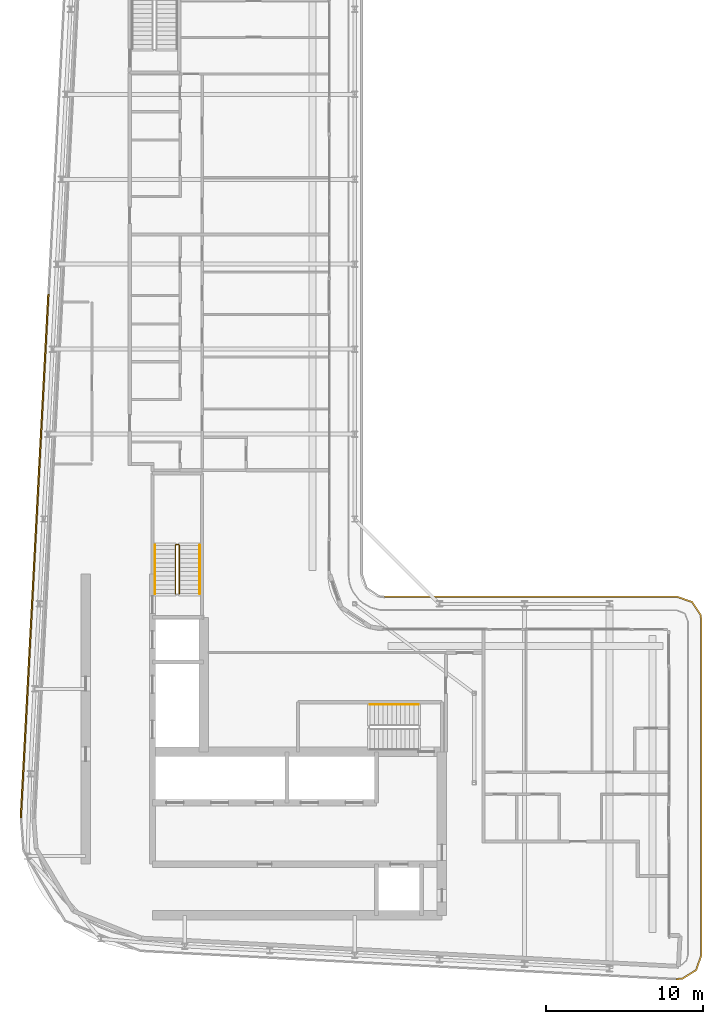
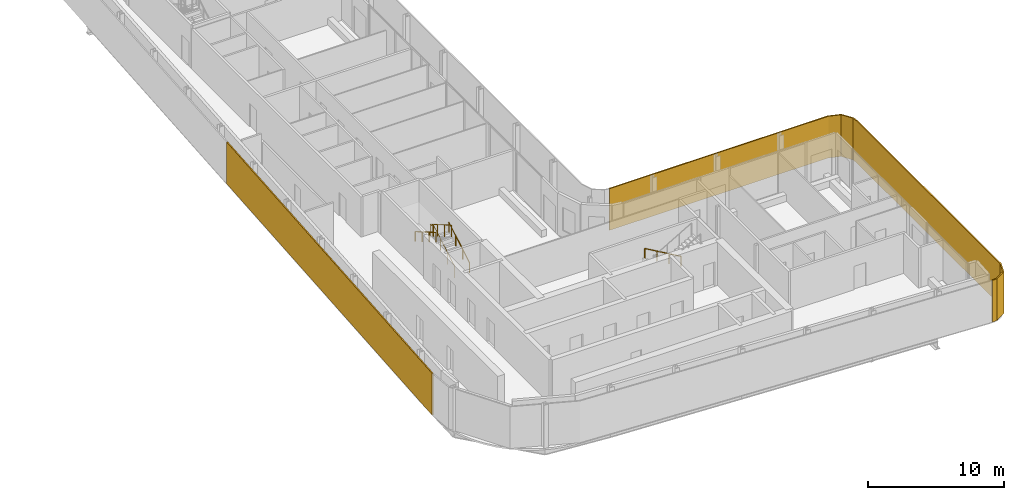
# One storey, part 18 of 21: 4 railings, 2 shading devices.
"""IFC4 building model written with IfcOpenShell, lengths in metres."""

from ifc_helpers import new_model, si_unit, direction, frame, origin, origin_2d, place, context, subcontext, project, spatial, polyline, rectangle, circle, outline, extrude, material, layer, layer_set, type_object, element, save


model = new_model("IFC4")

# Units and contexts
model_context = context("Model", 3, precision=1e-05, world=origin(), true_north=direction((0.0, 1.0)))
body_context = subcontext(model_context, "Body", "Model", "MODEL_VIEW")
ifc_project = project(units=[si_unit("LENGTHUNIT", "METRE"), si_unit("AREAUNIT", "SQUARE_METRE"), si_unit("VOLUMEUNIT", "CUBIC_METRE"), si_unit("PLANEANGLEUNIT", "RADIAN"), si_unit("MASSUNIT", "GRAM", prefix="KILO")], contexts=[model_context])

# Site, building, storey
site_placement = place(None, origin())
site = spatial("IfcSite", under=ifc_project, at=site_placement, CompositionType="ELEMENT")
building_placement = place(site_placement, origin())
building = spatial("IfcBuilding", under=site, at=building_placement, Name="Kheshtan School and Residences Tower", CompositionType="ELEMENT")
storey_placement = place(building_placement, frame((0.0, 0.0, 305.89990234375)))
storey = spatial("IfcBuildingStorey", under=building, at=storey_placement, Name="L72", CompositionType="ELEMENT", Elevation=305.89990234375)

# Shading devices
ifc_material_1 = material(Name="Terracotta baguette, extruded ceramic", Category="masonry")
ifc_layer_1 = layer(ifc_material_1, 0.10009765625)
ifc_layer_set_1 = layer_set([ifc_layer_1], Name="Ledge screen, terracotta baguettes")
shading_device_type_1 = type_object("IfcShadingDeviceType", Name="Ledge screen, terracotta baguettes", PredefinedType="USERDEFINED", material=ifc_layer_set_1)
shading_device_1_placement = place(storey_placement, frame((27.24609375, 48.638916015625, 0.0), z_axis=(0.0, 0.0, 1.0), x_axis=(0.052562536748, 0.998617634398, 0.0)))
element("IfcShadingDevice", 1, at=shading_device_1_placement, inside=storey, type_object=shading_device_type_1, Name="Screen L72 4", ObjectType="BAGUETTE", PredefinedType="USERDEFINED", context=body_context, shape_type="SweptSolid", body=[
    extrude(rectangle(XDim=33.341064453125, YDim=0.10009765625, at=origin_2d()), origin(), (0.0, 0.0, 1.0), 3.75),
])
ifc_material_2 = material(Name="Terracotta lattice, extruded ceramic", Category="masonry")
ifc_layer_2 = layer(ifc_material_2, 0.10009765625)
ifc_layer_set_2 = layer_set([ifc_layer_2], Name="Loggia screen, terracotta lattice")
shading_device_type_2 = type_object("IfcShadingDeviceType", Name="Loggia screen, terracotta lattice", PredefinedType="USERDEFINED", material=ifc_layer_set_2)
shading_device_2_placement = place(storey_placement, origin())
element("IfcShadingDevice", 2, at=shading_device_2_placement, inside=storey, type_object=shading_device_type_2, Name="Screen L72 2", ObjectType="SCREEN", PredefinedType="USERDEFINED", context=body_context, shape_type="SweptSolid", body=[
    extrude(outline(polyline([(49.5, 46.0), (68.10009765625, 46.0), (69.012939453125, 45.68994140625), (69.549072265625, 44.887939453125), (69.60009765625, 44.5), (69.60009765625, 23.285888671875), (69.27001953125, 22.346923828125), (68.424072265625, 21.822021484375), (68.02099609375, 21.7880859375), (68.029052734375, 21.68798828125), (68.4560546875, 21.72412109375), (69.35302734375, 22.281005859375), (69.699951171875, 23.26904296875), (69.699951171875, 44.507080078125), (69.64501953125, 44.924072265625), (69.076904296875, 45.77392578125), (68.116943359375, 46.10009765625), (49.5, 46.10009765625), (49.5, 46.0)])), origin(), (0.0, 0.0, 1.0), 3.75),
])

# Railings
ifc_material_3 = material(Name="Stainless steel balustrade", Category="steel")
railing_type_1 = type_object("IfcRailingType", Name="Stair guard 1100", PredefinedType="GUARDRAIL", material=ifc_material_3)
railing_1_placement = place(storey_placement, frame((36.449951171875, 46.25, 0.16259765625)))
element("IfcRailing", 3, at=railing_1_placement, inside=storey, type_object=railing_type_1, Name="L72 ST2 stair guard 1", PredefinedType="GUARDRAIL", context=body_context, shape_type="SweptSolid", body=[
    extrude(circle(Radius=0.02392578125, at=origin_2d()), frame((0.0, 0.0, 1.076171875), z_axis=(0.0, 0.864890721111, 0.501960198159), x_axis=(-1.0, 0.0, 0.0)), (0.0, 0.0, 1.0), 3.561279296875),
    extrude(circle(Radius=0.02392578125, at=origin_2d()), frame((0.0, 3.080078125, 2.86376953125), z_axis=(-0.708833529934, 0.705375805398, 0.0), x_axis=(-0.705375805398, -0.708833529934, 0.0)), (0.0, 0.0, 1.0), 0.070556640625),
    extrude(circle(Radius=0.02392578125, at=origin_2d()), frame((-0.050048828125, 3.1298828125, 2.86376953125), z_axis=(-1.0, 0.0, 0.0), x_axis=(0.0, -1.0, 0.0)), (0.0, 0.0, 1.0), 0.14990234375),
    extrude(circle(Radius=0.02392578125, at=origin_2d()), frame((-0.199951171875, 3.1298828125, 2.86376953125), z_axis=(-0.282693820306, -0.281314826061, 0.917031173188), x_axis=(0.705375805398, -0.708833529934, 0.0)), (0.0, 0.0, 1.0), 0.177001953125),
    extrude(circle(Radius=0.02392578125, at=origin_2d()), frame((-0.25, 3.080078125, 3.02587890625), z_axis=(0.0, -0.864890721111, 0.501960198159), x_axis=(1.0, 0.0, 0.0)), (0.0, 0.0, 1.0), 3.561279296875),
    extrude(circle(Radius=0.02099609375, at=origin_2d()), origin(), (0.0, 0.0, 1.0), 1.052001953125),
    extrude(circle(Radius=0.02099609375, at=origin_2d()), frame((0.0, 1.026611328125, 0.595947265625)), (0.0, 0.0, 1.0), 1.052001953125),
    extrude(circle(Radius=0.02099609375, at=origin_2d()), frame((0.0, 2.053466796875, 1.191650390625)), (0.0, 0.0, 1.0), 1.052001953125),
    extrude(circle(Radius=0.02099609375, at=origin_2d()), frame((0.0, 3.080078125, 1.78759765625)), (0.0, 0.0, 1.0), 1.052001953125),
    extrude(circle(Radius=0.02099609375, at=origin_2d()), frame((-0.050048828125, 3.1298828125, 1.78759765625)), (0.0, 0.0, 1.0), 1.052001953125),
    extrude(circle(Radius=0.02099609375, at=origin_2d()), frame((-0.199951171875, 3.1298828125, 1.78759765625)), (0.0, 0.0, 1.0), 1.052001953125),
    extrude(circle(Radius=0.02099609375, at=origin_2d()), frame((-0.25, 3.080078125, 1.949951171875)), (0.0, 0.0, 1.0), 1.052001953125),
    extrude(circle(Radius=0.02099609375, at=origin_2d()), frame((-0.25, 2.053466796875, 2.5458984375)), (0.0, 0.0, 1.0), 1.052001953125),
    extrude(circle(Radius=0.02099609375, at=origin_2d()), frame((-0.25, 1.026611328125, 3.1416015625)), (0.0, 0.0, 1.0), 1.052001953125),
    extrude(circle(Radius=0.02099609375, at=origin_2d()), frame((-0.25, 0.0, 3.737548828125)), (0.0, 0.0, 1.0), 1.052001953125),
])
ifc_material_4 = material(Name="Stainless steel handrail", Category="steel")
railing_type_2 = type_object("IfcRailingType", Name="Stair handrail 900", PredefinedType="HANDRAIL", material=ifc_material_4)
railing_2_placement = place(storey_placement, frame((51.64990234375, 39.199951171875, 0.16259765625)))
element("IfcRailing", 4, at=railing_2_placement, inside=storey, type_object=railing_type_2, Name="L72 ST1 stair handrail 1", PredefinedType="HANDRAIL", context=body_context, shape_type="SweptSolid", body=[
    extrude(circle(Radius=0.02392578125, at=origin_2d()), frame((0.0, 0.0, 0.8759765625), z_axis=(-0.864873446163, 0.0, 0.501989962173), x_axis=(0.0, -1.0, 0.0)), (0.0, 0.0, 1.0), 3.56103515625),
    extrude(circle(Radius=0.02099609375, at=origin_2d()), origin(), (0.0, 0.0, 1.0), 0.851806640625),
    extrude(circle(Radius=0.02099609375, at=origin_2d()), frame((-1.026611328125, 0.0, 0.595947265625)), (0.0, 0.0, 1.0), 0.851806640625),
    extrude(circle(Radius=0.02099609375, at=origin_2d()), frame((-2.05322265625, 0.0, 1.191650390625)), (0.0, 0.0, 1.0), 0.851806640625),
    extrude(circle(Radius=0.02099609375, at=origin_2d()), frame((-3.079833984375, 0.0, 1.78759765625)), (0.0, 0.0, 1.0), 0.851806640625),
])
railing_3_placement = place(storey_placement, frame((37.75, 46.25, 0.16259765625)))
element("IfcRailing", 5, at=railing_3_placement, inside=storey, type_object=railing_type_2, Name="L72 ST2 stair handrail 1", PredefinedType="HANDRAIL", context=body_context, shape_type="SweptSolid", body=[
    extrude(circle(Radius=0.02392578125, at=origin_2d()), frame((0.0, 0.0, 0.8759765625), z_axis=(0.0, 0.864890721111, 0.501960198159), x_axis=(-1.0, 0.0, 0.0)), (0.0, 0.0, 1.0), 3.561279296875),
    extrude(circle(Radius=0.02099609375, at=origin_2d()), origin(), (0.0, 0.0, 1.0), 0.851806640625),
    extrude(circle(Radius=0.02099609375, at=origin_2d()), frame((0.0, 1.026611328125, 0.595947265625)), (0.0, 0.0, 1.0), 0.851806640625),
    extrude(circle(Radius=0.02099609375, at=origin_2d()), frame((0.0, 2.053466796875, 1.191650390625)), (0.0, 0.0, 1.0), 0.851806640625),
    extrude(circle(Radius=0.02099609375, at=origin_2d()), frame((0.0, 3.080078125, 1.78759765625)), (0.0, 0.0, 1.0), 0.851806640625),
])
railing_4_placement = place(storey_placement, frame((34.89990234375, 49.330078125, 2.112548828125)))
element("IfcRailing", 6, at=railing_4_placement, inside=storey, type_object=railing_type_2, Name="L72 ST2 stair handrail 2", PredefinedType="HANDRAIL", context=body_context, shape_type="SweptSolid", body=[
    extrude(circle(Radius=0.02392578125, at=origin_2d()), frame((0.0, 0.0, 0.8759765625), z_axis=(0.0, -0.864890721111, 0.501960198159), x_axis=(1.0, 0.0, 0.0)), (0.0, 0.0, 1.0), 3.561279296875),
    extrude(circle(Radius=0.02099609375, at=origin_2d()), origin(), (0.0, 0.0, 1.0), 0.851806640625),
    extrude(circle(Radius=0.02099609375, at=origin_2d()), frame((0.0, -1.026611328125, 0.595947265625)), (0.0, 0.0, 1.0), 0.851806640625),
    extrude(circle(Radius=0.02099609375, at=origin_2d()), frame((0.0, -2.053466796875, 1.191650390625)), (0.0, 0.0, 1.0), 0.851806640625),
    extrude(circle(Radius=0.02099609375, at=origin_2d()), frame((0.0, -3.080078125, 1.78759765625)), (0.0, 0.0, 1.0), 0.851806640625),
])

save(model, "model.ifc")
